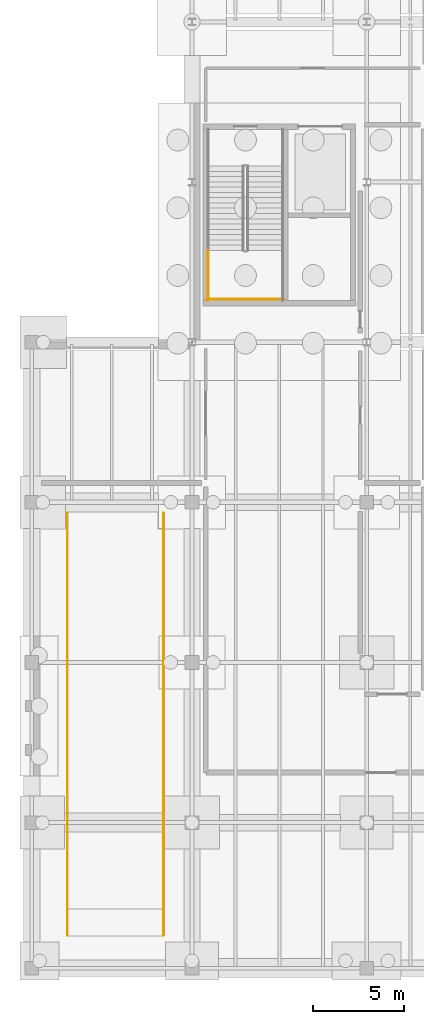
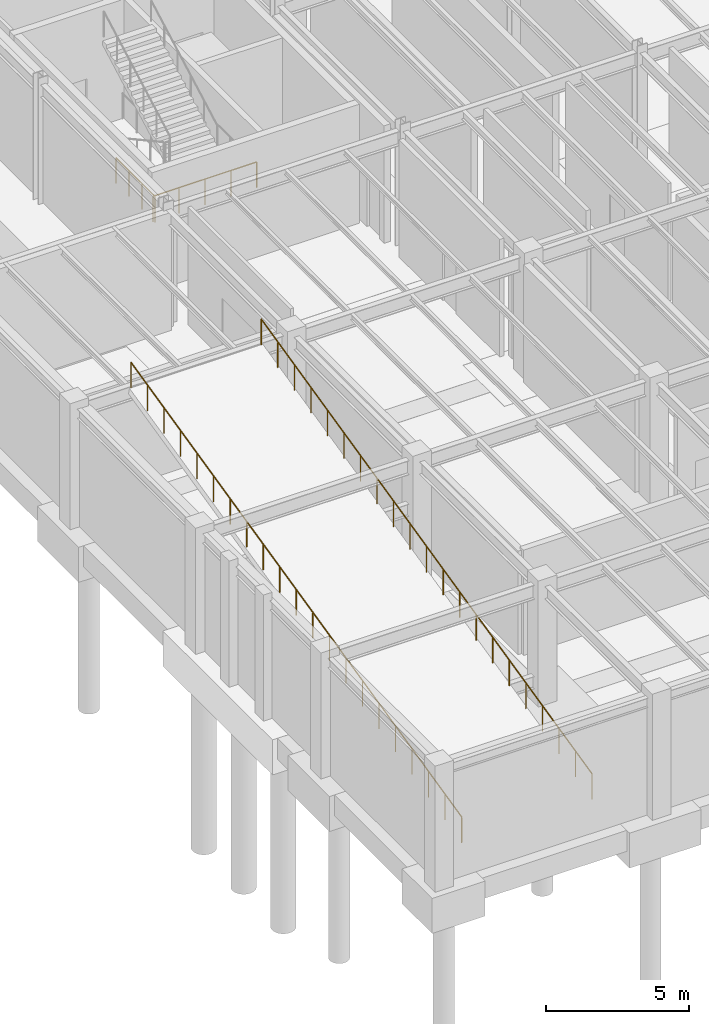
# One storey, part 39 of 48: 4 railings.
"""IFC4 building model written with IfcOpenShell, lengths in metres."""

from ifc_helpers import new_model, si_unit, direction, frame, origin, origin_2d, place, context, subcontext, project, spatial, circle, extrude, material, layer, layer_set, type_object, element, save


model = new_model("IFC4")

# Units and contexts
model_context = context("Model", 3, precision=1e-05, world=origin(), true_north=direction((0.0, 1.0)))
body_context = subcontext(model_context, "Body", "Model", "MODEL_VIEW")
ifc_project = project(units=[si_unit("LENGTHUNIT", "METRE"), si_unit("AREAUNIT", "SQUARE_METRE"), si_unit("VOLUMEUNIT", "CUBIC_METRE"), si_unit("PLANEANGLEUNIT", "RADIAN"), si_unit("MASSUNIT", "GRAM", prefix="KILO")], contexts=[model_context])

# Site, building, storey
site_placement = place(None, origin())
site = spatial("IfcSite", under=ifc_project, at=site_placement, CompositionType="ELEMENT")
building_placement = place(site_placement, origin())
building = spatial("IfcBuilding", under=site, at=building_placement, Name="Sarnbrook Museum", CompositionType="ELEMENT")
storey_placement = place(building_placement, frame((0.0, 0.0, -5.39990234375)))
storey = spatial("IfcBuildingStorey", under=building, at=storey_placement, Name="B1", CompositionType="ELEMENT", Elevation=-5.39990234375)

# Railings
ifc_material = material(Name="Brushed Stainless Steel Grade 316", Category="steel")
ifc_layer_1 = layer(ifc_material, 0.050048828125)
ifc_layer_set_1 = layer_set([ifc_layer_1], Name="Brushed Stainless Steel Grade 316")
railing_type_1 = type_object("IfcRailingType", Name="Guard_Int1120", PredefinedType="BALUSTRADE", material=ifc_layer_set_1)
railing_1_placement = place(storey_placement, frame((14.489990234375, 44.239990234375, 2.699951171875)))
element("IfcRailing", 1, at=railing_1_placement, inside=storey, type_object=railing_type_1, Name="B1 ST5 stair guard 3", PredefinedType="BALUSTRADE", context=body_context, shape_type="SweptSolid", body=[
    extrude(circle(Radius=0.02392578125, at=origin_2d()), frame((0.0, 0.0, 1.09619140625), z_axis=(0.0, -1.0, 0.0), x_axis=(1.0, 0.0, 0.0)), (0.0, 0.0, 1.0), 2.739990234375),
    extrude(circle(Radius=0.02099609375, at=origin_2d()), origin(), (0.0, 0.0, 1.0), 1.072021484375),
    extrude(circle(Radius=0.02099609375, at=origin_2d()), frame((0.0, -0.913330078125, 0.0)), (0.0, 0.0, 1.0), 1.072021484375),
    extrude(circle(Radius=0.02099609375, at=origin_2d()), frame((0.0, -1.82666015625, 0.0)), (0.0, 0.0, 1.0), 1.072021484375),
    extrude(circle(Radius=0.02099609375, at=origin_2d()), frame((0.0, -2.739990234375, 0.0)), (0.0, 0.0, 1.0), 1.072021484375),
])
railing_2_placement = place(storey_placement, frame((14.43994140625, 41.550048828125, 2.699951171875)))
element("IfcRailing", 2, at=railing_2_placement, inside=storey, type_object=railing_type_1, Name="B1 ST5 stair guard 5", PredefinedType="BALUSTRADE", context=body_context, shape_type="SweptSolid", body=[
    extrude(circle(Radius=0.02392578125, at=origin_2d()), frame((0.0, 0.0, 1.09619140625), z_axis=(1.0, 0.0, 0.0), x_axis=(0.0, 1.0, 0.0)), (0.0, 0.0, 1.0), 4.199951171875),
    extrude(circle(Radius=0.02099609375, at=origin_2d()), origin(), (0.0, 0.0, 1.0), 1.072021484375),
    extrude(circle(Radius=0.02099609375, at=origin_2d()), frame((1.050048828125, 0.0, 0.0)), (0.0, 0.0, 1.0), 1.072021484375),
    extrude(circle(Radius=0.02099609375, at=origin_2d()), frame((2.10009765625, 0.0, 0.0)), (0.0, 0.0, 1.0), 1.072021484375),
    extrude(circle(Radius=0.02099609375, at=origin_2d()), frame((3.14990234375, 0.0, 0.0)), (0.0, 0.0, 1.0), 1.072021484375),
    extrude(circle(Radius=0.02099609375, at=origin_2d()), frame((4.199951171875, 0.0, 0.0)), (0.0, 0.0, 1.0), 1.072021484375),
])
ifc_layer_2 = layer(ifc_material, 0.050048828125)
ifc_layer_set_2 = layer_set([ifc_layer_2], Name="Brushed Stainless Steel Grade 316")
railing_type_2 = type_object("IfcRailingType", Name="Guard_Ramp1120", PredefinedType="GUARDRAIL", material=ifc_layer_set_2)
railing_3_placement = place(storey_placement, frame((6.760009765625, 6.60009765625, 0.0)))
element("IfcRailing", 3, at=railing_3_placement, inside=storey, type_object=railing_type_2, Name="Vehicle Ramp VR-1 Sloped Side Guardrail W", PredefinedType="GUARDRAIL", context=body_context, shape_type="SweptSolid", body=[
    extrude(circle(Radius=0.02392578125, at=origin_2d()), frame((0.0, 0.0, 1.09619140625), z_axis=(0.0, 0.973968050542, 0.226685324895), x_axis=(-1.0, 0.0, 0.0)), (0.0, 0.0, 1.0), 1.191162109375),
    extrude(circle(Radius=0.02392578125, at=origin_2d()), frame((0.0, 1.16015625, 1.3662109375), z_axis=(0.0, 0.974013285092, 0.226490883844), x_axis=(-1.0, 0.0, 0.0)), (0.0, 0.0, 1.0), 1.191162109375),
    extrude(circle(Radius=0.02392578125, at=origin_2d()), frame((0.0, 2.3203125, 1.6357421875), z_axis=(0.0, 0.973978579492, 0.226640081826), x_axis=(-1.0, 0.0, 0.0)), (0.0, 0.0, 1.0), 1.19140625),
    extrude(circle(Radius=0.02392578125, at=origin_2d()), frame((0.0, 3.480712890625, 1.90576171875), z_axis=(0.0, 0.973968050542, 0.226685324895), x_axis=(-1.0, 0.0, 0.0)), (0.0, 0.0, 1.0), 1.191162109375),
    extrude(circle(Radius=0.02392578125, at=origin_2d()), frame((0.0, 4.640869140625, 2.17578125), z_axis=(0.0, 0.973968050542, 0.226685324895), x_axis=(-1.0, 0.0, 0.0)), (0.0, 0.0, 1.0), 1.191162109375),
    extrude(circle(Radius=0.02392578125, at=origin_2d()), frame((0.0, 5.801025390625, 2.44580078125), z_axis=(0.0, 0.973978579492, 0.226640081826), x_axis=(-1.0, 0.0, 0.0)), (0.0, 0.0, 1.0), 1.19140625),
    extrude(circle(Radius=0.02392578125, at=origin_2d()), frame((0.0, 6.96142578125, 2.7158203125), z_axis=(0.0, 0.973968050542, 0.226685324895), x_axis=(-1.0, 0.0, 0.0)), (0.0, 0.0, 1.0), 1.191162109375),
    extrude(circle(Radius=0.02392578125, at=origin_2d()), frame((0.0, 8.12158203125, 2.98583984375), z_axis=(0.0, 0.973978579492, 0.226640081826), x_axis=(-1.0, 0.0, 0.0)), (0.0, 0.0, 1.0), 1.19140625),
    extrude(circle(Radius=0.02392578125, at=origin_2d()), frame((0.0, 9.281982421875, 3.255859375), z_axis=(0.0, 0.973968050542, 0.226685324895), x_axis=(-1.0, 0.0, 0.0)), (0.0, 0.0, 1.0), 1.191162109375),
    extrude(circle(Radius=0.02392578125, at=origin_2d()), frame((0.0, 10.442138671875, 3.52587890625), z_axis=(0.0, 0.973968050542, 0.226685324895), x_axis=(-1.0, 0.0, 0.0)), (0.0, 0.0, 1.0), 1.191162109375),
    extrude(circle(Radius=0.02392578125, at=origin_2d()), frame((0.0, 11.602294921875, 3.7958984375), z_axis=(0.0, 0.973978579492, 0.226640081826), x_axis=(-1.0, 0.0, 0.0)), (0.0, 0.0, 1.0), 1.19140625),
    extrude(circle(Radius=0.02392578125, at=origin_2d()), frame((0.0, 12.7626953125, 4.06591796875), z_axis=(0.0, 0.973968050542, 0.226685324895), x_axis=(-1.0, 0.0, 0.0)), (0.0, 0.0, 1.0), 1.191162109375),
    extrude(circle(Radius=0.02392578125, at=origin_2d()), frame((0.0, 13.9228515625, 4.3359375), z_axis=(0.0, 0.973968050542, 0.226685324895), x_axis=(-1.0, 0.0, 0.0)), (0.0, 0.0, 1.0), 1.191162109375),
    extrude(circle(Radius=0.02392578125, at=origin_2d()), frame((0.0, 15.0830078125, 4.60595703125), z_axis=(0.0, 0.974023796475, 0.226445675385), x_axis=(-1.0, 0.0, 0.0)), (0.0, 0.0, 1.0), 1.19140625),
    extrude(circle(Radius=0.02392578125, at=origin_2d()), frame((0.0, 16.243408203125, 4.8759765625), z_axis=(0.0, 0.973968050542, 0.226685324895), x_axis=(-1.0, 0.0, 0.0)), (0.0, 0.0, 1.0), 1.191162109375),
    extrude(circle(Radius=0.02392578125, at=origin_2d()), frame((0.0, 17.403564453125, 5.14599609375), z_axis=(0.0, 0.973978579492, 0.226640081826), x_axis=(-1.0, 0.0, 0.0)), (0.0, 0.0, 1.0), 1.19140625),
    extrude(circle(Radius=0.02392578125, at=origin_2d()), frame((0.0, 18.56396484375, 5.416015625), z_axis=(0.0, 0.973968050542, 0.226685324895), x_axis=(-1.0, 0.0, 0.0)), (0.0, 0.0, 1.0), 1.191162109375),
    extrude(circle(Radius=0.02392578125, at=origin_2d()), frame((0.0, 19.72412109375, 5.68603515625), z_axis=(0.0, 0.973978579492, 0.226640081826), x_axis=(-1.0, 0.0, 0.0)), (0.0, 0.0, 1.0), 1.19140625),
    extrude(circle(Radius=0.02392578125, at=origin_2d()), frame((0.0, 20.884521484375, 5.9560546875), z_axis=(0.0, 0.973968050542, 0.226685324895), x_axis=(-1.0, 0.0, 0.0)), (0.0, 0.0, 1.0), 1.191162109375),
    extrude(circle(Radius=0.02392578125, at=origin_2d()), frame((0.0, 22.044677734375, 6.22607421875), z_axis=(0.0, 0.973968050542, 0.226685324895), x_axis=(-1.0, 0.0, 0.0)), (0.0, 0.0, 1.0), 1.191162109375),
    extrude(circle(Radius=0.02099609375, at=origin_2d()), origin(), (0.0, 0.0, 1.0), 1.072021484375),
    extrude(circle(Radius=0.02099609375, at=origin_2d()), frame((0.0, 1.16015625, 0.27001953125)), (0.0, 0.0, 1.0), 1.072021484375),
    extrude(circle(Radius=0.02099609375, at=origin_2d()), frame((0.0, 2.3203125, 0.539794921875)), (0.0, 0.0, 1.0), 1.072021484375),
    extrude(circle(Radius=0.02099609375, at=origin_2d()), frame((0.0, 3.480712890625, 0.809814453125)), (0.0, 0.0, 1.0), 1.072021484375),
    extrude(circle(Radius=0.02099609375, at=origin_2d()), frame((0.0, 4.640869140625, 1.079833984375)), (0.0, 0.0, 1.0), 1.072021484375),
    extrude(circle(Radius=0.02099609375, at=origin_2d()), frame((0.0, 5.801025390625, 1.349853515625)), (0.0, 0.0, 1.0), 1.072021484375),
    extrude(circle(Radius=0.02099609375, at=origin_2d()), frame((0.0, 6.96142578125, 1.619873046875)), (0.0, 0.0, 1.0), 1.072021484375),
    extrude(circle(Radius=0.02099609375, at=origin_2d()), frame((0.0, 8.12158203125, 1.889892578125)), (0.0, 0.0, 1.0), 1.072021484375),
    extrude(circle(Radius=0.02099609375, at=origin_2d()), frame((0.0, 9.281982421875, 2.159912109375)), (0.0, 0.0, 1.0), 1.072021484375),
    extrude(circle(Radius=0.02099609375, at=origin_2d()), frame((0.0, 10.442138671875, 2.429931640625)), (0.0, 0.0, 1.0), 1.072021484375),
    extrude(circle(Radius=0.02099609375, at=origin_2d()), frame((0.0, 11.602294921875, 2.699951171875)), (0.0, 0.0, 1.0), 1.072021484375),
    extrude(circle(Radius=0.02099609375, at=origin_2d()), frame((0.0, 12.7626953125, 2.969970703125)), (0.0, 0.0, 1.0), 1.072021484375),
    extrude(circle(Radius=0.02099609375, at=origin_2d()), frame((0.0, 13.9228515625, 3.239990234375)), (0.0, 0.0, 1.0), 1.072021484375),
    extrude(circle(Radius=0.02099609375, at=origin_2d()), frame((0.0, 15.0830078125, 3.510009765625)), (0.0, 0.0, 1.0), 1.072021484375),
    extrude(circle(Radius=0.02099609375, at=origin_2d()), frame((0.0, 16.243408203125, 3.77978515625)), (0.0, 0.0, 1.0), 1.072021484375),
    extrude(circle(Radius=0.02099609375, at=origin_2d()), frame((0.0, 17.403564453125, 4.0498046875)), (0.0, 0.0, 1.0), 1.072021484375),
    extrude(circle(Radius=0.02099609375, at=origin_2d()), frame((0.0, 18.56396484375, 4.31982421875)), (0.0, 0.0, 1.0), 1.072021484375),
    extrude(circle(Radius=0.02099609375, at=origin_2d()), frame((0.0, 19.72412109375, 4.58984375)), (0.0, 0.0, 1.0), 1.072021484375),
    extrude(circle(Radius=0.02099609375, at=origin_2d()), frame((0.0, 20.884521484375, 4.85986328125)), (0.0, 0.0, 1.0), 1.072021484375),
    extrude(circle(Radius=0.02099609375, at=origin_2d()), frame((0.0, 22.044677734375, 5.1298828125)), (0.0, 0.0, 1.0), 1.072021484375),
    extrude(circle(Radius=0.02099609375, at=origin_2d()), frame((0.0, 23.204833984375, 5.39990234375)), (0.0, 0.0, 1.0), 1.072021484375),
])
railing_4_placement = place(storey_placement, frame((12.0400390625, 6.60009765625, 0.0)))
element("IfcRailing", 4, at=railing_4_placement, inside=storey, type_object=railing_type_2, Name="Vehicle Ramp VR-1 Sloped Side Guardrail E", PredefinedType="GUARDRAIL", context=body_context, shape_type="SweptSolid", body=[
    extrude(circle(Radius=0.02392578125, at=origin_2d()), frame((0.0, 0.0, 1.09619140625), z_axis=(0.0, 0.973968050542, 0.226685324895), x_axis=(-1.0, 0.0, 0.0)), (0.0, 0.0, 1.0), 1.191162109375),
    extrude(circle(Radius=0.02392578125, at=origin_2d()), frame((0.0, 1.16015625, 1.3662109375), z_axis=(0.0, 0.974013285092, 0.226490883844), x_axis=(-1.0, 0.0, 0.0)), (0.0, 0.0, 1.0), 1.191162109375),
    extrude(circle(Radius=0.02392578125, at=origin_2d()), frame((0.0, 2.3203125, 1.6357421875), z_axis=(0.0, 0.973978579492, 0.226640081826), x_axis=(-1.0, 0.0, 0.0)), (0.0, 0.0, 1.0), 1.19140625),
    extrude(circle(Radius=0.02392578125, at=origin_2d()), frame((0.0, 3.480712890625, 1.90576171875), z_axis=(0.0, 0.973968050542, 0.226685324895), x_axis=(-1.0, 0.0, 0.0)), (0.0, 0.0, 1.0), 1.191162109375),
    extrude(circle(Radius=0.02392578125, at=origin_2d()), frame((0.0, 4.640869140625, 2.17578125), z_axis=(0.0, 0.973968050542, 0.226685324895), x_axis=(-1.0, 0.0, 0.0)), (0.0, 0.0, 1.0), 1.191162109375),
    extrude(circle(Radius=0.02392578125, at=origin_2d()), frame((0.0, 5.801025390625, 2.44580078125), z_axis=(0.0, 0.973978579492, 0.226640081826), x_axis=(-1.0, 0.0, 0.0)), (0.0, 0.0, 1.0), 1.19140625),
    extrude(circle(Radius=0.02392578125, at=origin_2d()), frame((0.0, 6.96142578125, 2.7158203125), z_axis=(0.0, 0.973968050542, 0.226685324895), x_axis=(-1.0, 0.0, 0.0)), (0.0, 0.0, 1.0), 1.191162109375),
    extrude(circle(Radius=0.02392578125, at=origin_2d()), frame((0.0, 8.12158203125, 2.98583984375), z_axis=(0.0, 0.973978579492, 0.226640081826), x_axis=(-1.0, 0.0, 0.0)), (0.0, 0.0, 1.0), 1.19140625),
    extrude(circle(Radius=0.02392578125, at=origin_2d()), frame((0.0, 9.281982421875, 3.255859375), z_axis=(0.0, 0.973968050542, 0.226685324895), x_axis=(-1.0, 0.0, 0.0)), (0.0, 0.0, 1.0), 1.191162109375),
    extrude(circle(Radius=0.02392578125, at=origin_2d()), frame((0.0, 10.442138671875, 3.52587890625), z_axis=(0.0, 0.973968050542, 0.226685324895), x_axis=(-1.0, 0.0, 0.0)), (0.0, 0.0, 1.0), 1.191162109375),
    extrude(circle(Radius=0.02392578125, at=origin_2d()), frame((0.0, 11.602294921875, 3.7958984375), z_axis=(0.0, 0.973978579492, 0.226640081826), x_axis=(-1.0, 0.0, 0.0)), (0.0, 0.0, 1.0), 1.19140625),
    extrude(circle(Radius=0.02392578125, at=origin_2d()), frame((0.0, 12.7626953125, 4.06591796875), z_axis=(0.0, 0.973968050542, 0.226685324895), x_axis=(-1.0, 0.0, 0.0)), (0.0, 0.0, 1.0), 1.191162109375),
    extrude(circle(Radius=0.02392578125, at=origin_2d()), frame((0.0, 13.9228515625, 4.3359375), z_axis=(0.0, 0.973968050542, 0.226685324895), x_axis=(-1.0, 0.0, 0.0)), (0.0, 0.0, 1.0), 1.191162109375),
    extrude(circle(Radius=0.02392578125, at=origin_2d()), frame((0.0, 15.0830078125, 4.60595703125), z_axis=(0.0, 0.974023796475, 0.226445675385), x_axis=(-1.0, 0.0, 0.0)), (0.0, 0.0, 1.0), 1.19140625),
    extrude(circle(Radius=0.02392578125, at=origin_2d()), frame((0.0, 16.243408203125, 4.8759765625), z_axis=(0.0, 0.973968050542, 0.226685324895), x_axis=(-1.0, 0.0, 0.0)), (0.0, 0.0, 1.0), 1.191162109375),
    extrude(circle(Radius=0.02392578125, at=origin_2d()), frame((0.0, 17.403564453125, 5.14599609375), z_axis=(0.0, 0.973978579492, 0.226640081826), x_axis=(-1.0, 0.0, 0.0)), (0.0, 0.0, 1.0), 1.19140625),
    extrude(circle(Radius=0.02392578125, at=origin_2d()), frame((0.0, 18.56396484375, 5.416015625), z_axis=(0.0, 0.973968050542, 0.226685324895), x_axis=(-1.0, 0.0, 0.0)), (0.0, 0.0, 1.0), 1.191162109375),
    extrude(circle(Radius=0.02392578125, at=origin_2d()), frame((0.0, 19.72412109375, 5.68603515625), z_axis=(0.0, 0.973978579492, 0.226640081826), x_axis=(-1.0, 0.0, 0.0)), (0.0, 0.0, 1.0), 1.19140625),
    extrude(circle(Radius=0.02392578125, at=origin_2d()), frame((0.0, 20.884521484375, 5.9560546875), z_axis=(0.0, 0.973968050542, 0.226685324895), x_axis=(-1.0, 0.0, 0.0)), (0.0, 0.0, 1.0), 1.191162109375),
    extrude(circle(Radius=0.02392578125, at=origin_2d()), frame((0.0, 22.044677734375, 6.22607421875), z_axis=(0.0, 0.973968050542, 0.226685324895), x_axis=(-1.0, 0.0, 0.0)), (0.0, 0.0, 1.0), 1.191162109375),
    extrude(circle(Radius=0.02099609375, at=origin_2d()), origin(), (0.0, 0.0, 1.0), 1.072021484375),
    extrude(circle(Radius=0.02099609375, at=origin_2d()), frame((0.0, 1.16015625, 0.27001953125)), (0.0, 0.0, 1.0), 1.072021484375),
    extrude(circle(Radius=0.02099609375, at=origin_2d()), frame((0.0, 2.3203125, 0.539794921875)), (0.0, 0.0, 1.0), 1.072021484375),
    extrude(circle(Radius=0.02099609375, at=origin_2d()), frame((0.0, 3.480712890625, 0.809814453125)), (0.0, 0.0, 1.0), 1.072021484375),
    extrude(circle(Radius=0.02099609375, at=origin_2d()), frame((0.0, 4.640869140625, 1.079833984375)), (0.0, 0.0, 1.0), 1.072021484375),
    extrude(circle(Radius=0.02099609375, at=origin_2d()), frame((0.0, 5.801025390625, 1.349853515625)), (0.0, 0.0, 1.0), 1.072021484375),
    extrude(circle(Radius=0.02099609375, at=origin_2d()), frame((0.0, 6.96142578125, 1.619873046875)), (0.0, 0.0, 1.0), 1.072021484375),
    extrude(circle(Radius=0.02099609375, at=origin_2d()), frame((0.0, 8.12158203125, 1.889892578125)), (0.0, 0.0, 1.0), 1.072021484375),
    extrude(circle(Radius=0.02099609375, at=origin_2d()), frame((0.0, 9.281982421875, 2.159912109375)), (0.0, 0.0, 1.0), 1.072021484375),
    extrude(circle(Radius=0.02099609375, at=origin_2d()), frame((0.0, 10.442138671875, 2.429931640625)), (0.0, 0.0, 1.0), 1.072021484375),
    extrude(circle(Radius=0.02099609375, at=origin_2d()), frame((0.0, 11.602294921875, 2.699951171875)), (0.0, 0.0, 1.0), 1.072021484375),
    extrude(circle(Radius=0.02099609375, at=origin_2d()), frame((0.0, 12.7626953125, 2.969970703125)), (0.0, 0.0, 1.0), 1.072021484375),
    extrude(circle(Radius=0.02099609375, at=origin_2d()), frame((0.0, 13.9228515625, 3.239990234375)), (0.0, 0.0, 1.0), 1.072021484375),
    extrude(circle(Radius=0.02099609375, at=origin_2d()), frame((0.0, 15.0830078125, 3.510009765625)), (0.0, 0.0, 1.0), 1.072021484375),
    extrude(circle(Radius=0.02099609375, at=origin_2d()), frame((0.0, 16.243408203125, 3.77978515625)), (0.0, 0.0, 1.0), 1.072021484375),
    extrude(circle(Radius=0.02099609375, at=origin_2d()), frame((0.0, 17.403564453125, 4.0498046875)), (0.0, 0.0, 1.0), 1.072021484375),
    extrude(circle(Radius=0.02099609375, at=origin_2d()), frame((0.0, 18.56396484375, 4.31982421875)), (0.0, 0.0, 1.0), 1.072021484375),
    extrude(circle(Radius=0.02099609375, at=origin_2d()), frame((0.0, 19.72412109375, 4.58984375)), (0.0, 0.0, 1.0), 1.072021484375),
    extrude(circle(Radius=0.02099609375, at=origin_2d()), frame((0.0, 20.884521484375, 4.85986328125)), (0.0, 0.0, 1.0), 1.072021484375),
    extrude(circle(Radius=0.02099609375, at=origin_2d()), frame((0.0, 22.044677734375, 5.1298828125)), (0.0, 0.0, 1.0), 1.072021484375),
    extrude(circle(Radius=0.02099609375, at=origin_2d()), frame((0.0, 23.204833984375, 5.39990234375)), (0.0, 0.0, 1.0), 1.072021484375),
])

save(model, "model.ifc")
